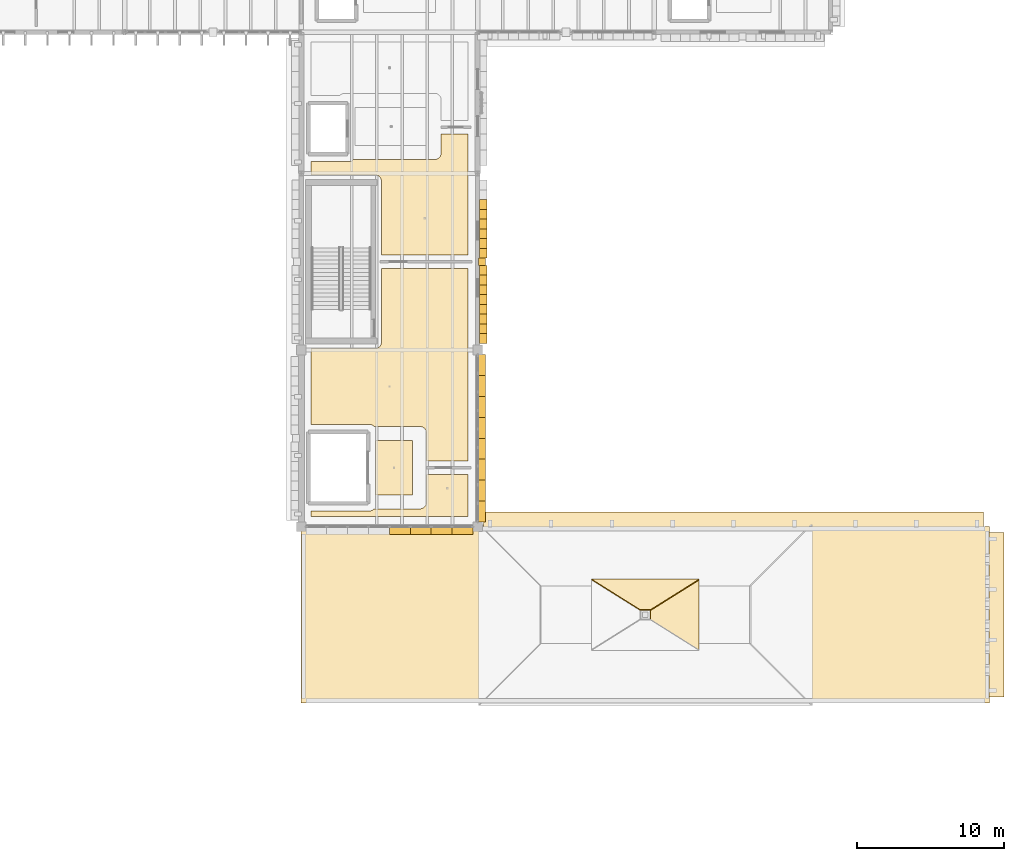
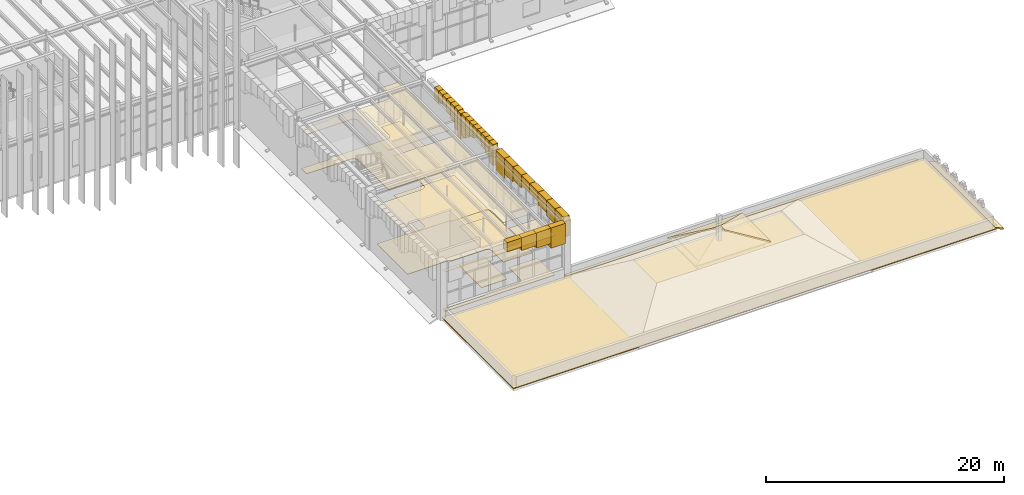
# One storey, part 73 of 83: 40 coverings.
"""IFC4 building model written with IfcOpenShell, lengths in metres."""

from ifc_helpers import new_model, si_unit, direction, frame, origin, place, context, subcontext, project, spatial, polyline, outline, extrude, material, layer, layer_set, type_object, element, save


model = new_model("IFC4")

# Units and contexts
model_context = context("Model", 3, precision=1e-05, world=origin(), true_north=direction((0.0, 1.0)))
body_context = subcontext(model_context, "Body", "Model", "MODEL_VIEW")
ifc_project = project(units=[si_unit("LENGTHUNIT", "METRE"), si_unit("AREAUNIT", "SQUARE_METRE"), si_unit("VOLUMEUNIT", "CUBIC_METRE"), si_unit("PLANEANGLEUNIT", "RADIAN"), si_unit("MASSUNIT", "GRAM", prefix="KILO")], contexts=[model_context])

# Site, building, storey
site_placement = place(None, origin())
site = spatial("IfcSite", under=ifc_project, at=site_placement, CompositionType="ELEMENT")
building_placement = place(site_placement, origin())
building = spatial("IfcBuilding", under=site, at=building_placement, Name="Zlatogorsky Bluff Art Gallery", CompositionType="ELEMENT")
storey_placement = place(building_placement, frame((0.0, 0.0, 10.800048828125)))
storey = spatial("IfcBuildingStorey", under=building, at=storey_placement, Name="L02", CompositionType="ELEMENT", Elevation=10.800048828125)

# Coverings
ifc_material_1 = material(Name="Perforated Gypsum Acoustic Board", Category="gypsum")
ifc_layer_1 = layer(ifc_material_1, 0.0400390625)
ifc_layer_set_1 = layer_set([ifc_layer_1], Name="Acoustic Gallery Ceiling CLG-01")
covering_type_1 = type_object("IfcCoveringType", Name="Acoustic Gallery Ceiling CLG-01", PredefinedType="CEILING", material=ifc_layer_set_1)
covering_1_placement = place(storey_placement, frame((0.0, 0.0, 4.050048828125)))
element("IfcCovering", 1, at=covering_1_placement, inside=storey, type_object=covering_type_1, Name="Lift Lobby GL-1 acoustic ceiling", PredefinedType="CEILING", context=body_context, shape_type="SweptSolid", body=[
    extrude(outline(polyline([(125.070068359375, 52.550048828125), (125.070068359375, 56.25), (127.570068359375, 56.25), (127.570068359375, 52.550048828125), (125.070068359375, 52.550048828125)])), origin(), (0.0, 0.0, 1.0), 0.039794921875),
])
covering_2_placement = place(storey_placement, frame((0.0, 0.0, 4.050048828125)))
element("IfcCovering", 2, at=covering_2_placement, inside=storey, type_object=covering_type_1, Name="Compact Art Study Archive acoustic ceiling", PredefinedType="CEILING", context=body_context, shape_type="SweptSolid", body=[
    extrude(outline(polyline([(124.6201171875, 51.449951171875), (124.6640625, 51.4521484375), (124.707763671875, 51.45849609375), (124.75048828125, 51.469482421875), (124.792236328125, 51.484375), (124.83203125, 51.503173828125), (124.8701171875, 51.52587890625), (124.905517578125, 51.552001953125), (124.938232421875, 51.581787109375), (124.95458984375, 51.60009765625), (128.070068359375, 51.60009765625), (128.114013671875, 51.602294921875), (128.15771484375, 51.608642578125), (128.20068359375, 51.619384765625), (128.2421875, 51.63427734375), (128.281982421875, 51.653076171875), (128.320068359375, 51.67578125), (128.35546875, 51.7021484375), (128.38818359375, 51.731689453125), (128.41796875, 51.764404296875), (128.444091796875, 51.800048828125), (128.466796875, 51.837890625), (128.485595703125, 51.877685546875), (128.50048828125, 51.91943359375), (128.511474609375, 51.962158203125), (128.517822265625, 52.005859375), (128.52001953125, 52.050048828125), (128.52001953125, 53.949951171875), (131.330078125, 53.949951171875), (131.330078125, 51.070068359375), (120.669921875, 51.070068359375), (120.669921875, 51.449951171875), (124.6201171875, 51.449951171875)])), origin(), (0.0, 0.0, 1.0), 0.039794921875),
])
covering_3_placement = place(storey_placement, frame((0.0, 0.0, 4.050048828125)))
element("IfcCovering", 3, at=covering_3_placement, inside=storey, type_object=covering_type_1, Name="Compact Art Study Archive acoustic ceiling", PredefinedType="CEILING", context=body_context, shape_type="SweptSolid", body=[
    extrude(outline(polyline([(120.669921875, 62.489990234375), (125.0009765625, 62.489990234375), (125.04541015625, 62.4921875), (125.08935546875, 62.498779296875), (125.09033203125, 62.498779296875), (125.099609375, 62.5009765625), (125.1005859375, 62.501220703125), (125.143798828125, 62.512939453125), (125.185791015625, 62.529296875), (125.1875, 62.530029296875), (125.22314453125, 62.5478515625), (125.22412109375, 62.54833984375), (125.25634765625, 62.568115234375), (125.28662109375, 62.59033203125), (125.2880859375, 62.591552734375), (125.3251953125, 62.624755859375), (125.3583984375, 62.661865234375), (125.359619140625, 62.663330078125), (125.382080078125, 62.693603515625), (125.401611328125, 62.725830078125), (125.402099609375, 62.726806640625), (125.419921875, 62.762451171875), (125.42041015625, 62.763427734375), (125.4208984375, 62.764404296875), (125.43701171875, 62.80615234375), (125.448974609375, 62.849609375), (125.44921875, 62.850341796875), (125.451171875, 62.859619140625), (125.451416015625, 62.860595703125), (125.457763671875, 62.90478515625), (125.4599609375, 62.948974609375), (125.4599609375, 67.949951171875), (131.330078125, 67.949951171875), (131.330078125, 54.85009765625), (128.52001953125, 54.85009765625), (128.52001953125, 56.75), (128.517822265625, 56.794189453125), (128.511474609375, 56.837890625), (128.50048828125, 56.880615234375), (128.485595703125, 56.922119140625), (128.466796875, 56.962158203125), (128.444091796875, 57.0), (128.41796875, 57.035400390625), (128.38818359375, 57.068115234375), (128.35546875, 57.097900390625), (128.320068359375, 57.124267578125), (128.281982421875, 57.14697265625), (128.2421875, 57.165771484375), (128.20068359375, 57.1806640625), (128.15771484375, 57.19140625), (128.114013671875, 57.19775390625), (128.070068359375, 57.199951171875), (124.95458984375, 57.199951171875), (124.938232421875, 57.21826171875), (124.905517578125, 57.247802734375), (124.8701171875, 57.274169921875), (124.83203125, 57.296875), (124.792236328125, 57.315673828125), (124.75048828125, 57.33056640625), (124.707763671875, 57.34130859375), (124.6640625, 57.347900390625), (124.6201171875, 57.35009765625), (120.669921875, 57.35009765625), (120.669921875, 62.489990234375)])), origin(), (0.0, 0.0, 1.0), 0.039794921875),
])
covering_4_placement = place(storey_placement, frame((0.0, 0.0, 4.050048828125)))
element("IfcCovering", 4, at=covering_4_placement, inside=storey, type_object=covering_type_1, Name="Compact Art Study Archive acoustic ceiling", PredefinedType="CEILING", context=body_context, shape_type="SweptSolid", body=[
    extrude(outline(polyline([(123.219970703125, 75.199951171875), (123.26416015625, 75.2021484375), (123.307861328125, 75.20849609375), (123.3505859375, 75.219482421875), (123.39208984375, 75.234375), (123.43212890625, 75.253173828125), (123.469970703125, 75.27587890625), (123.505615234375, 75.302001953125), (123.5380859375, 75.331787109375), (123.5546875, 75.35009765625), (129.070068359375, 75.35009765625), (129.114013671875, 75.352294921875), (129.15771484375, 75.358642578125), (129.20068359375, 75.369384765625), (129.2421875, 75.38427734375), (129.281982421875, 75.403076171875), (129.320068359375, 75.42578125), (129.35546875, 75.4521484375), (129.38818359375, 75.481689453125), (129.41796875, 75.514404296875), (129.444091796875, 75.550048828125), (129.466796875, 75.587890625), (129.485595703125, 75.627685546875), (129.50048828125, 75.66943359375), (129.511474609375, 75.712158203125), (129.517822265625, 75.755859375), (129.52001953125, 75.800048828125), (129.52001953125, 77.094970703125), (131.330078125, 77.094970703125), (131.330078125, 68.85009765625), (125.4599609375, 68.85009765625), (125.4599609375, 73.85107421875), (125.457763671875, 73.895263671875), (125.451416015625, 73.939208984375), (125.451171875, 73.940185546875), (125.44921875, 73.94970703125), (125.448974609375, 73.950439453125), (125.43701171875, 73.993896484375), (125.4208984375, 74.03564453125), (125.42041015625, 74.03662109375), (125.419921875, 74.03759765625), (125.402099609375, 74.0732421875), (125.401611328125, 74.07421875), (125.382080078125, 74.106201171875), (125.359619140625, 74.13671875), (125.3583984375, 74.13818359375), (125.3251953125, 74.17529296875), (125.2880859375, 74.20849609375), (125.28662109375, 74.209716796875), (125.25634765625, 74.23193359375), (125.22412109375, 74.251708984375), (125.22314453125, 74.252197265625), (125.1875, 74.27001953125), (125.185791015625, 74.270751953125), (125.143798828125, 74.287109375), (125.1005859375, 74.298828125), (125.099609375, 74.299072265625), (125.09033203125, 74.301025390625), (125.08935546875, 74.30126953125), (125.04541015625, 74.307861328125), (125.0009765625, 74.31005859375), (120.669921875, 74.31005859375), (120.669921875, 75.199951171875), (123.219970703125, 75.199951171875)])), origin(), (0.0, 0.0, 1.0), 0.039794921875),
])
ifc_material_2 = material(Name="Honed Red Agra-Tone Quartzitic Sandstone", Category="masonry")
ifc_layer_2 = layer(ifc_material_2, 0.1201171875)
ifc_layer_set_2 = layer_set([ifc_layer_2], Name="Carved Sandstone Cladding CLD-02")
covering_type_2 = type_object("IfcCoveringType", Name="Carved Sandstone Cladding CLD-02", PredefinedType="CLADDING", material=ifc_layer_set_2)
covering_5_placement = place(storey_placement, frame((0.0, 0.0, 5.00439453125)))
element("IfcCovering", 5, at=covering_5_placement, inside=storey, type_object=covering_type_2, Name="Pointed Mughal arch voussoir spandrel ARCH-CW-L02-S-10-05.5", PredefinedType="CLADDING", context=body_context, shape_type="SweptSolid", body=[
    extrude(outline(polyline([(126.0, 49.860107421875), (127.419921875, 49.860107421875), (127.419921875, 50.429931640625), (126.0, 50.429931640625), (126.0, 49.860107421875)])), origin(), (0.0, 0.0, 1.0), 0.95556640625),
])
covering_6_placement = place(storey_placement, frame((0.0, 0.0, 4.65625)))
element("IfcCovering", 6, at=covering_6_placement, inside=storey, type_object=covering_type_2, Name="Pointed Mughal arch voussoir spandrel ARCH-CW-L02-S-10-05.6", PredefinedType="CLADDING", context=body_context, shape_type="SweptSolid", body=[
    extrude(outline(polyline([(127.419921875, 49.860107421875), (128.840087890625, 49.860107421875), (128.840087890625, 50.429931640625), (127.419921875, 50.429931640625), (127.419921875, 49.860107421875)])), origin(), (0.0, 0.0, 1.0), 1.3037109375),
])
covering_7_placement = place(storey_placement, frame((0.0, 0.0, 4.379638671875)))
element("IfcCovering", 7, at=covering_7_placement, inside=storey, type_object=covering_type_2, Name="Pointed Mughal arch voussoir spandrel ARCH-CW-L02-S-10-05.7", PredefinedType="CLADDING", context=body_context, shape_type="SweptSolid", body=[
    extrude(outline(polyline([(128.840087890625, 49.860107421875), (130.260009765625, 49.860107421875), (130.260009765625, 50.429931640625), (128.840087890625, 50.429931640625), (128.840087890625, 49.860107421875)])), origin(), (0.0, 0.0, 1.0), 1.580322265625),
])
covering_8_placement = place(storey_placement, frame((0.0, 0.0, 3.877685546875)))
element("IfcCovering", 8, at=covering_8_placement, inside=storey, type_object=covering_type_2, Name="Pointed Mughal arch voussoir spandrel ARCH-CW-L02-S-10-05.8", PredefinedType="CLADDING", context=body_context, shape_type="SweptSolid", body=[
    extrude(outline(polyline([(130.260009765625, 49.860107421875), (131.679931640625, 49.860107421875), (131.679931640625, 50.429931640625), (130.260009765625, 50.429931640625), (130.260009765625, 49.860107421875)])), origin(), (0.0, 0.0, 1.0), 2.082275390625),
])
covering_9_placement = place(storey_placement, frame((0.0, 0.0, 3.877685546875)))
element("IfcCovering", 9, at=covering_9_placement, inside=storey, type_object=covering_type_2, Name="Pointed Mughal arch voussoir spandrel ARCH-CW-L02-E-10-05.1", PredefinedType="CLADDING", context=body_context, shape_type="SweptSolid", body=[
    extrude(outline(polyline([(131.969970703125, 50.719970703125), (131.969970703125, 52.139892578125), (132.5400390625, 52.139892578125), (132.5400390625, 50.719970703125), (131.969970703125, 50.719970703125)])), origin(), (0.0, 0.0, 1.0), 2.082275390625),
])
covering_10_placement = place(storey_placement, frame((0.0, 0.0, 4.379638671875)))
element("IfcCovering", 10, at=covering_10_placement, inside=storey, type_object=covering_type_2, Name="Pointed Mughal arch voussoir spandrel ARCH-CW-L02-E-10-05.2", PredefinedType="CLADDING", context=body_context, shape_type="SweptSolid", body=[
    extrude(outline(polyline([(131.969970703125, 52.139892578125), (131.969970703125, 53.56005859375), (132.5400390625, 53.56005859375), (132.5400390625, 52.139892578125), (131.969970703125, 52.139892578125)])), origin(), (0.0, 0.0, 1.0), 1.580322265625),
])
covering_11_placement = place(storey_placement, frame((0.0, 0.0, 4.65625)))
element("IfcCovering", 11, at=covering_11_placement, inside=storey, type_object=covering_type_2, Name="Pointed Mughal arch voussoir spandrel ARCH-CW-L02-E-10-05.3", PredefinedType="CLADDING", context=body_context, shape_type="SweptSolid", body=[
    extrude(outline(polyline([(131.969970703125, 53.56005859375), (131.969970703125, 54.97998046875), (132.5400390625, 54.97998046875), (132.5400390625, 53.56005859375), (131.969970703125, 53.56005859375)])), origin(), (0.0, 0.0, 1.0), 1.3037109375),
])
covering_12_placement = place(storey_placement, frame((0.0, 0.0, 5.00439453125)))
element("IfcCovering", 12, at=covering_12_placement, inside=storey, type_object=covering_type_2, Name="Pointed Mughal arch voussoir spandrel ARCH-CW-L02-E-10-05.4", PredefinedType="CLADDING", context=body_context, shape_type="SweptSolid", body=[
    extrude(outline(polyline([(131.969970703125, 54.97998046875), (131.969970703125, 56.39990234375), (132.5400390625, 56.39990234375), (132.5400390625, 54.97998046875), (131.969970703125, 54.97998046875)])), origin(), (0.0, 0.0, 1.0), 0.95556640625),
])
covering_13_placement = place(storey_placement, frame((0.0, 0.0, 5.00439453125)))
element("IfcCovering", 13, at=covering_13_placement, inside=storey, type_object=covering_type_2, Name="Pointed Mughal arch voussoir spandrel ARCH-CW-L02-E-10-05.5", PredefinedType="CLADDING", context=body_context, shape_type="SweptSolid", body=[
    extrude(outline(polyline([(131.969970703125, 56.39990234375), (131.969970703125, 57.820068359375), (132.5400390625, 57.820068359375), (132.5400390625, 56.39990234375), (131.969970703125, 56.39990234375)])), origin(), (0.0, 0.0, 1.0), 0.95556640625),
])
covering_14_placement = place(storey_placement, frame((0.0, 0.0, 4.65625)))
element("IfcCovering", 14, at=covering_14_placement, inside=storey, type_object=covering_type_2, Name="Pointed Mughal arch voussoir spandrel ARCH-CW-L02-E-10-05.6", PredefinedType="CLADDING", context=body_context, shape_type="SweptSolid", body=[
    extrude(outline(polyline([(131.969970703125, 57.820068359375), (131.969970703125, 59.239990234375), (132.5400390625, 59.239990234375), (132.5400390625, 57.820068359375), (131.969970703125, 57.820068359375)])), origin(), (0.0, 0.0, 1.0), 1.3037109375),
])
covering_15_placement = place(storey_placement, frame((0.0, 0.0, 4.379638671875)))
element("IfcCovering", 15, at=covering_15_placement, inside=storey, type_object=covering_type_2, Name="Pointed Mughal arch voussoir spandrel ARCH-CW-L02-E-10-05.7", PredefinedType="CLADDING", context=body_context, shape_type="SweptSolid", body=[
    extrude(outline(polyline([(131.969970703125, 59.239990234375), (131.969970703125, 60.659912109375), (132.5400390625, 60.659912109375), (132.5400390625, 59.239990234375), (131.969970703125, 59.239990234375)])), origin(), (0.0, 0.0, 1.0), 1.580322265625),
])
covering_16_placement = place(storey_placement, frame((0.0, 0.0, 3.877685546875)))
element("IfcCovering", 16, at=covering_16_placement, inside=storey, type_object=covering_type_2, Name="Pointed Mughal arch voussoir spandrel ARCH-CW-L02-E-10-05.8", PredefinedType="CLADDING", context=body_context, shape_type="SweptSolid", body=[
    extrude(outline(polyline([(131.969970703125, 60.659912109375), (131.969970703125, 62.080078125), (132.5400390625, 62.080078125), (132.5400390625, 60.659912109375), (131.969970703125, 60.659912109375)])), origin(), (0.0, 0.0, 1.0), 2.082275390625),
])
covering_17_placement = place(storey_placement, frame((0.0, 0.0, 3.35986328125)))
element("IfcCovering", 17, at=covering_17_placement, inside=storey, type_object=covering_type_2, Name="Mughal blind-arch sandstone pilaster L02.E.10.6", PredefinedType="CLADDING", context=body_context, shape_type="SweptSolid", body=[
    extrude(outline(polyline([(132.0400390625, 68.159912109375), (132.52001953125, 68.159912109375), (132.52001953125, 68.639892578125), (132.0400390625, 68.639892578125), (132.0400390625, 68.159912109375)])), origin(), (0.0, 0.0, 1.0), 2.60009765625),
])
covering_18_placement = place(storey_placement, frame((0.0, 0.0, 3.80224609375)))
element("IfcCovering", 18, at=covering_18_placement, inside=storey, type_object=covering_type_2, Name="Pointed Mughal arch voussoir spandrel WARCH-L02-E-10-06-A.1", PredefinedType="CLADDING", context=body_context, shape_type="SweptSolid", body=[
    extrude(outline(polyline([(132.1298828125, 62.85009765625), (132.1298828125, 63.512451171875), (132.6201171875, 63.512451171875), (132.6201171875, 62.85009765625), (132.1298828125, 62.85009765625)])), origin(), (0.0, 0.0, 1.0), 2.15771484375),
])
covering_19_placement = place(storey_placement, frame((0.0, 0.0, 4.333740234375)))
element("IfcCovering", 19, at=covering_19_placement, inside=storey, type_object=covering_type_2, Name="Pointed Mughal arch voussoir spandrel WARCH-L02-E-10-06-A.2", PredefinedType="CLADDING", context=body_context, shape_type="SweptSolid", body=[
    extrude(outline(polyline([(132.1298828125, 63.512451171875), (132.1298828125, 64.175048828125), (132.6201171875, 64.175048828125), (132.6201171875, 63.512451171875), (132.1298828125, 63.512451171875)])), origin(), (0.0, 0.0, 1.0), 1.626220703125),
])
covering_20_placement = place(storey_placement, frame((0.0, 0.0, 4.626708984375)))
element("IfcCovering", 20, at=covering_20_placement, inside=storey, type_object=covering_type_2, Name="Pointed Mughal arch voussoir spandrel WARCH-L02-E-10-06-A.3", PredefinedType="CLADDING", context=body_context, shape_type="SweptSolid", body=[
    extrude(outline(polyline([(132.1298828125, 64.175048828125), (132.1298828125, 64.83740234375), (132.6201171875, 64.83740234375), (132.6201171875, 64.175048828125), (132.1298828125, 64.175048828125)])), origin(), (0.0, 0.0, 1.0), 1.333251953125),
])
covering_21_placement = place(storey_placement, frame((0.0, 0.0, 4.995361328125)))
element("IfcCovering", 21, at=covering_21_placement, inside=storey, type_object=covering_type_2, Name="Pointed Mughal arch voussoir spandrel WARCH-L02-E-10-06-A.4", PredefinedType="CLADDING", context=body_context, shape_type="SweptSolid", body=[
    extrude(outline(polyline([(132.1298828125, 64.83740234375), (132.1298828125, 65.5), (132.6201171875, 65.5), (132.6201171875, 64.83740234375), (132.1298828125, 64.83740234375)])), origin(), (0.0, 0.0, 1.0), 0.964599609375),
])
covering_22_placement = place(storey_placement, frame((0.0, 0.0, 4.995361328125)))
element("IfcCovering", 22, at=covering_22_placement, inside=storey, type_object=covering_type_2, Name="Pointed Mughal arch voussoir spandrel WARCH-L02-E-10-06-A.5", PredefinedType="CLADDING", context=body_context, shape_type="SweptSolid", body=[
    extrude(outline(polyline([(132.1298828125, 65.5), (132.1298828125, 66.16259765625), (132.6201171875, 66.16259765625), (132.6201171875, 65.5), (132.1298828125, 65.5)])), origin(), (0.0, 0.0, 1.0), 0.964599609375),
])
covering_23_placement = place(storey_placement, frame((0.0, 0.0, 4.626708984375)))
element("IfcCovering", 23, at=covering_23_placement, inside=storey, type_object=covering_type_2, Name="Pointed Mughal arch voussoir spandrel WARCH-L02-E-10-06-A.6", PredefinedType="CLADDING", context=body_context, shape_type="SweptSolid", body=[
    extrude(outline(polyline([(132.1298828125, 66.16259765625), (132.1298828125, 66.824951171875), (132.6201171875, 66.824951171875), (132.6201171875, 66.16259765625), (132.1298828125, 66.16259765625)])), origin(), (0.0, 0.0, 1.0), 1.333251953125),
])
covering_24_placement = place(storey_placement, frame((0.0, 0.0, 4.333740234375)))
element("IfcCovering", 24, at=covering_24_placement, inside=storey, type_object=covering_type_2, Name="Pointed Mughal arch voussoir spandrel WARCH-L02-E-10-06-A.7", PredefinedType="CLADDING", context=body_context, shape_type="SweptSolid", body=[
    extrude(outline(polyline([(132.1298828125, 66.824951171875), (132.1298828125, 67.487548828125), (132.6201171875, 67.487548828125), (132.6201171875, 66.824951171875), (132.1298828125, 66.824951171875)])), origin(), (0.0, 0.0, 1.0), 1.626220703125),
])
covering_25_placement = place(storey_placement, frame((0.0, 0.0, 3.80224609375)))
element("IfcCovering", 25, at=covering_25_placement, inside=storey, type_object=covering_type_2, Name="Pointed Mughal arch voussoir spandrel WARCH-L02-E-10-06-A.8", PredefinedType="CLADDING", context=body_context, shape_type="SweptSolid", body=[
    extrude(outline(polyline([(132.1298828125, 67.487548828125), (132.1298828125, 68.14990234375), (132.6201171875, 68.14990234375), (132.6201171875, 67.487548828125), (132.1298828125, 67.487548828125)])), origin(), (0.0, 0.0, 1.0), 2.15771484375),
])
covering_26_placement = place(storey_placement, frame((0.0, 0.0, 3.80224609375)))
element("IfcCovering", 26, at=covering_26_placement, inside=storey, type_object=covering_type_2, Name="Pointed Mughal arch voussoir spandrel WARCH-L02-E-10-06-B.1", PredefinedType="CLADDING", context=body_context, shape_type="SweptSolid", body=[
    extrude(outline(polyline([(132.1298828125, 68.64990234375), (132.1298828125, 69.3125), (132.6201171875, 69.3125), (132.6201171875, 68.64990234375), (132.1298828125, 68.64990234375)])), origin(), (0.0, 0.0, 1.0), 2.15771484375),
])
covering_27_placement = place(storey_placement, frame((0.0, 0.0, 4.333740234375)))
element("IfcCovering", 27, at=covering_27_placement, inside=storey, type_object=covering_type_2, Name="Pointed Mughal arch voussoir spandrel WARCH-L02-E-10-06-B.2", PredefinedType="CLADDING", context=body_context, shape_type="SweptSolid", body=[
    extrude(outline(polyline([(132.1298828125, 69.3125), (132.1298828125, 69.97509765625), (132.6201171875, 69.97509765625), (132.6201171875, 69.3125), (132.1298828125, 69.3125)])), origin(), (0.0, 0.0, 1.0), 1.626220703125),
])
covering_28_placement = place(storey_placement, frame((0.0, 0.0, 4.626708984375)))
element("IfcCovering", 28, at=covering_28_placement, inside=storey, type_object=covering_type_2, Name="Pointed Mughal arch voussoir spandrel WARCH-L02-E-10-06-B.3", PredefinedType="CLADDING", context=body_context, shape_type="SweptSolid", body=[
    extrude(outline(polyline([(132.1298828125, 69.97509765625), (132.1298828125, 70.637451171875), (132.6201171875, 70.637451171875), (132.6201171875, 69.97509765625), (132.1298828125, 69.97509765625)])), origin(), (0.0, 0.0, 1.0), 1.333251953125),
])
covering_29_placement = place(storey_placement, frame((0.0, 0.0, 4.995361328125)))
element("IfcCovering", 29, at=covering_29_placement, inside=storey, type_object=covering_type_2, Name="Pointed Mughal arch voussoir spandrel WARCH-L02-E-10-06-B.4", PredefinedType="CLADDING", context=body_context, shape_type="SweptSolid", body=[
    extrude(outline(polyline([(132.1298828125, 70.637451171875), (132.1298828125, 71.300048828125), (132.6201171875, 71.300048828125), (132.6201171875, 70.637451171875), (132.1298828125, 70.637451171875)])), origin(), (0.0, 0.0, 1.0), 0.964599609375),
])
covering_30_placement = place(storey_placement, frame((0.0, 0.0, 4.995361328125)))
element("IfcCovering", 30, at=covering_30_placement, inside=storey, type_object=covering_type_2, Name="Pointed Mughal arch voussoir spandrel WARCH-L02-E-10-06-B.5", PredefinedType="CLADDING", context=body_context, shape_type="SweptSolid", body=[
    extrude(outline(polyline([(132.1298828125, 71.300048828125), (132.1298828125, 71.96240234375), (132.6201171875, 71.96240234375), (132.6201171875, 71.300048828125), (132.1298828125, 71.300048828125)])), origin(), (0.0, 0.0, 1.0), 0.964599609375),
])
covering_31_placement = place(storey_placement, frame((0.0, 0.0, 4.626708984375)))
element("IfcCovering", 31, at=covering_31_placement, inside=storey, type_object=covering_type_2, Name="Pointed Mughal arch voussoir spandrel WARCH-L02-E-10-06-B.6", PredefinedType="CLADDING", context=body_context, shape_type="SweptSolid", body=[
    extrude(outline(polyline([(132.1298828125, 71.96240234375), (132.1298828125, 72.625), (132.6201171875, 72.625), (132.6201171875, 71.96240234375), (132.1298828125, 71.96240234375)])), origin(), (0.0, 0.0, 1.0), 1.333251953125),
])
covering_32_placement = place(storey_placement, frame((166.760009765625, 50.0, -0.0400390625), z_axis=(0.380683013172, 0.0, 0.924705598276), x_axis=(0.0, -1.0, 0.0)))
element("IfcCovering", 32, at=covering_32_placement, inside=storey, type_object=covering_type_2, Name="Projecting sloped Mughal chhajja stone eave CHJ-EAST-E-L02", PredefinedType="CLADDING", context=body_context, shape_type="SweptSolid", body=[
    extrude(outline(polyline([(0.0, 0.0), (11.199951171875, 0.0), (11.199951171875, 1.1030748955691927), (0.0, 1.1030748955691927), (0.0, 0.0)])), origin(), (0.0, 0.0, -1.0), 0.139892578125),
])
covering_33_placement = place(storey_placement, frame((132.39990234375, 50.360107421875, -0.0400390625), z_axis=(0.0, 0.380760939354, 0.924673513767), x_axis=(1.0, 0.0, 0.0)))
element("IfcCovering", 33, at=covering_33_placement, inside=storey, type_object=covering_type_2, Name="Projecting sloped Mughal chhajja stone eave CHJ-EAST-N-L02", PredefinedType="CLADDING", context=body_context, shape_type="SweptSolid", body=[
    extrude(outline(polyline([(0.0, 0.0), (34.0, 0.0), (34.0, 1.102849141282654), (0.0, 1.102849141282654), (0.0, 0.0)])), origin(), (0.0, 0.0, -1.0), 0.139892578125),
])
covering_34_placement = place(storey_placement, frame((147.050048828125, 46.818115234375, 3.50390625), z_axis=(0.0, 0.466937780766, 0.884290172338), x_axis=(-1.0, 0.0, 0.0)))
element("IfcCovering", 34, at=covering_34_placement, inside=storey, type_object=covering_type_2, Name="Mughal chhatri pavilion cap RF-EAST-PAV.CN", PredefinedType="CLADDING", context=body_context, shape_type="SweptSolid", body=[
    extrude(outline(polyline([(0.0, 0.0), (7.300048828125, 0.0), (4.0, 2.3387291853614096), (3.300048828125, 2.3387291853614096), (0.0, 0.0)])), origin(), (0.0, 0.0, -1.0), 0.139892578125),
])
covering_35_placement = place(storey_placement, frame((147.050048828125, 41.98193359375, 3.50390625), z_axis=(0.314162101707, 0.0, 0.949369355863), x_axis=(0.0, 1.0, 0.0)))
element("IfcCovering", 35, at=covering_35_placement, inside=storey, type_object=covering_type_2, Name="Mughal chhatri pavilion cap RF-EAST-PAV.CE", PredefinedType="CLADDING", context=body_context, shape_type="SweptSolid", body=[
    extrude(outline(polyline([(0.0, 0.0), (4.836181640625, 0.0), (2.76806640625, 3.476043130891282), (2.068115234375, 3.476043130891282), (0.0, 0.0)])), origin(), (0.0, 0.0, -1.0), 0.139892578125),
])
ifc_material_3 = material(Name="EPDM and Red-Sandstone Ballast Roofing", Category="masonry")
ifc_layer_3 = layer(ifc_material_3, 0.080078125)
ifc_layer_set_3 = layer_set([ifc_layer_3], Name="Insulated Roof Membrane RFM-01")
covering_type_3 = type_object("IfcCoveringType", Name="Insulated Roof Membrane RFM-01", PredefinedType="ROOFING", material=ifc_layer_set_3)
covering_36_placement = place(storey_placement, origin())
element("IfcCovering", 36, at=covering_36_placement, inside=storey, type_object=covering_type_3, Name="Roof membrane ROOF-FLAT-L02-02", PredefinedType="ROOFING", context=body_context, shape_type="SweptSolid", body=[
    extrude(outline(polyline([(132.0, 50.39990234375), (144.0, 50.39990234375), (156.0, 50.39990234375), (166.800048828125, 50.39990234375), (166.800048828125, 38.39990234375), (156.0, 38.39990234375), (144.0, 38.39990234375), (132.0, 38.39990234375), (120.0, 38.39990234375), (120.0, 50.39990234375), (132.0, 50.39990234375)])), origin(), (0.0, 0.0, 1.0), 0.079833984375),
])
ifc_material_4 = material(Name="Polished Ural Marble Terrazzo", Category="masonry")
ifc_layer_4 = layer(ifc_material_4, 0.050048828125)
ifc_layer_set_4 = layer_set([ifc_layer_4], Name="Terrazzo Gallery Flooring FLR-01")
covering_type_4 = type_object("IfcCoveringType", Name="Terrazzo Gallery Flooring FLR-01", PredefinedType="FLOORING", material=ifc_layer_set_4)
covering_37_placement = place(storey_placement, origin())
element("IfcCovering", 37, at=covering_37_placement, inside=storey, type_object=covering_type_4, Name="Lift Lobby GL-1 terrazzo floor finish", PredefinedType="FLOORING", context=body_context, shape_type="SweptSolid", body=[
    extrude(outline(polyline([(125.070068359375, 52.550048828125), (125.070068359375, 56.25), (127.570068359375, 56.25), (127.570068359375, 52.550048828125), (125.070068359375, 52.550048828125)])), origin(), (0.0, 0.0, 1.0), 0.050048828125),
])
covering_38_placement = place(storey_placement, origin())
element("IfcCovering", 38, at=covering_38_placement, inside=storey, type_object=covering_type_4, Name="Compact Art Study Archive terrazzo floor finish", PredefinedType="FLOORING", context=body_context, shape_type="SweptSolid", body=[
    extrude(outline(polyline([(124.6201171875, 51.449951171875), (124.6640625, 51.4521484375), (124.707763671875, 51.45849609375), (124.75048828125, 51.469482421875), (124.792236328125, 51.484375), (124.83203125, 51.503173828125), (124.8701171875, 51.52587890625), (124.905517578125, 51.552001953125), (124.938232421875, 51.581787109375), (124.95458984375, 51.60009765625), (128.070068359375, 51.60009765625), (128.114013671875, 51.602294921875), (128.15771484375, 51.608642578125), (128.20068359375, 51.619384765625), (128.2421875, 51.63427734375), (128.281982421875, 51.653076171875), (128.320068359375, 51.67578125), (128.35546875, 51.7021484375), (128.38818359375, 51.731689453125), (128.41796875, 51.764404296875), (128.444091796875, 51.800048828125), (128.466796875, 51.837890625), (128.485595703125, 51.877685546875), (128.50048828125, 51.91943359375), (128.511474609375, 51.962158203125), (128.517822265625, 52.005859375), (128.52001953125, 52.050048828125), (128.52001953125, 53.949951171875), (131.330078125, 53.949951171875), (131.330078125, 51.070068359375), (120.669921875, 51.070068359375), (120.669921875, 51.449951171875), (124.6201171875, 51.449951171875)])), origin(), (0.0, 0.0, 1.0), 0.050048828125),
])
covering_39_placement = place(storey_placement, origin())
element("IfcCovering", 39, at=covering_39_placement, inside=storey, type_object=covering_type_4, Name="Compact Art Study Archive terrazzo floor finish", PredefinedType="FLOORING", context=body_context, shape_type="SweptSolid", body=[
    extrude(outline(polyline([(120.669921875, 62.489990234375), (125.0009765625, 62.489990234375), (125.04541015625, 62.4921875), (125.08935546875, 62.498779296875), (125.09033203125, 62.498779296875), (125.099609375, 62.5009765625), (125.1005859375, 62.501220703125), (125.143798828125, 62.512939453125), (125.185791015625, 62.529296875), (125.1875, 62.530029296875), (125.22314453125, 62.5478515625), (125.22412109375, 62.54833984375), (125.25634765625, 62.568115234375), (125.28662109375, 62.59033203125), (125.2880859375, 62.591552734375), (125.3251953125, 62.624755859375), (125.3583984375, 62.661865234375), (125.359619140625, 62.663330078125), (125.382080078125, 62.693603515625), (125.401611328125, 62.725830078125), (125.402099609375, 62.726806640625), (125.419921875, 62.762451171875), (125.42041015625, 62.763427734375), (125.4208984375, 62.764404296875), (125.43701171875, 62.80615234375), (125.448974609375, 62.849609375), (125.44921875, 62.850341796875), (125.451171875, 62.859619140625), (125.451416015625, 62.860595703125), (125.457763671875, 62.90478515625), (125.4599609375, 62.948974609375), (125.4599609375, 67.949951171875), (131.330078125, 67.949951171875), (131.330078125, 54.85009765625), (128.52001953125, 54.85009765625), (128.52001953125, 56.75), (128.517822265625, 56.794189453125), (128.511474609375, 56.837890625), (128.50048828125, 56.880615234375), (128.485595703125, 56.922119140625), (128.466796875, 56.962158203125), (128.444091796875, 57.0), (128.41796875, 57.035400390625), (128.38818359375, 57.068115234375), (128.35546875, 57.097900390625), (128.320068359375, 57.124267578125), (128.281982421875, 57.14697265625), (128.2421875, 57.165771484375), (128.20068359375, 57.1806640625), (128.15771484375, 57.19140625), (128.114013671875, 57.19775390625), (128.070068359375, 57.199951171875), (124.95458984375, 57.199951171875), (124.938232421875, 57.21826171875), (124.905517578125, 57.247802734375), (124.8701171875, 57.274169921875), (124.83203125, 57.296875), (124.792236328125, 57.315673828125), (124.75048828125, 57.33056640625), (124.707763671875, 57.34130859375), (124.6640625, 57.347900390625), (124.6201171875, 57.35009765625), (120.669921875, 57.35009765625), (120.669921875, 62.489990234375)])), origin(), (0.0, 0.0, 1.0), 0.050048828125),
])
covering_40_placement = place(storey_placement, origin())
element("IfcCovering", 40, at=covering_40_placement, inside=storey, type_object=covering_type_4, Name="Compact Art Study Archive terrazzo floor finish", PredefinedType="FLOORING", context=body_context, shape_type="SweptSolid", body=[
    extrude(outline(polyline([(123.219970703125, 75.199951171875), (123.26416015625, 75.2021484375), (123.307861328125, 75.20849609375), (123.3505859375, 75.219482421875), (123.39208984375, 75.234375), (123.43212890625, 75.253173828125), (123.469970703125, 75.27587890625), (123.505615234375, 75.302001953125), (123.5380859375, 75.331787109375), (123.5546875, 75.35009765625), (129.070068359375, 75.35009765625), (129.114013671875, 75.352294921875), (129.15771484375, 75.358642578125), (129.20068359375, 75.369384765625), (129.2421875, 75.38427734375), (129.281982421875, 75.403076171875), (129.320068359375, 75.42578125), (129.35546875, 75.4521484375), (129.38818359375, 75.481689453125), (129.41796875, 75.514404296875), (129.444091796875, 75.550048828125), (129.466796875, 75.587890625), (129.485595703125, 75.627685546875), (129.50048828125, 75.66943359375), (129.511474609375, 75.712158203125), (129.517822265625, 75.755859375), (129.52001953125, 75.800048828125), (129.52001953125, 77.094970703125), (131.330078125, 77.094970703125), (131.330078125, 68.85009765625), (125.4599609375, 68.85009765625), (125.4599609375, 73.85107421875), (125.457763671875, 73.895263671875), (125.451416015625, 73.939208984375), (125.451171875, 73.940185546875), (125.44921875, 73.94970703125), (125.448974609375, 73.950439453125), (125.43701171875, 73.993896484375), (125.4208984375, 74.03564453125), (125.42041015625, 74.03662109375), (125.419921875, 74.03759765625), (125.402099609375, 74.0732421875), (125.401611328125, 74.07421875), (125.382080078125, 74.106201171875), (125.359619140625, 74.13671875), (125.3583984375, 74.13818359375), (125.3251953125, 74.17529296875), (125.2880859375, 74.20849609375), (125.28662109375, 74.209716796875), (125.25634765625, 74.23193359375), (125.22412109375, 74.251708984375), (125.22314453125, 74.252197265625), (125.1875, 74.27001953125), (125.185791015625, 74.270751953125), (125.143798828125, 74.287109375), (125.1005859375, 74.298828125), (125.099609375, 74.299072265625), (125.09033203125, 74.301025390625), (125.08935546875, 74.30126953125), (125.04541015625, 74.307861328125), (125.0009765625, 74.31005859375), (120.669921875, 74.31005859375), (120.669921875, 75.199951171875), (123.219970703125, 75.199951171875)])), origin(), (0.0, 0.0, 1.0), 0.050048828125),
])

save(model, "model.ifc")
